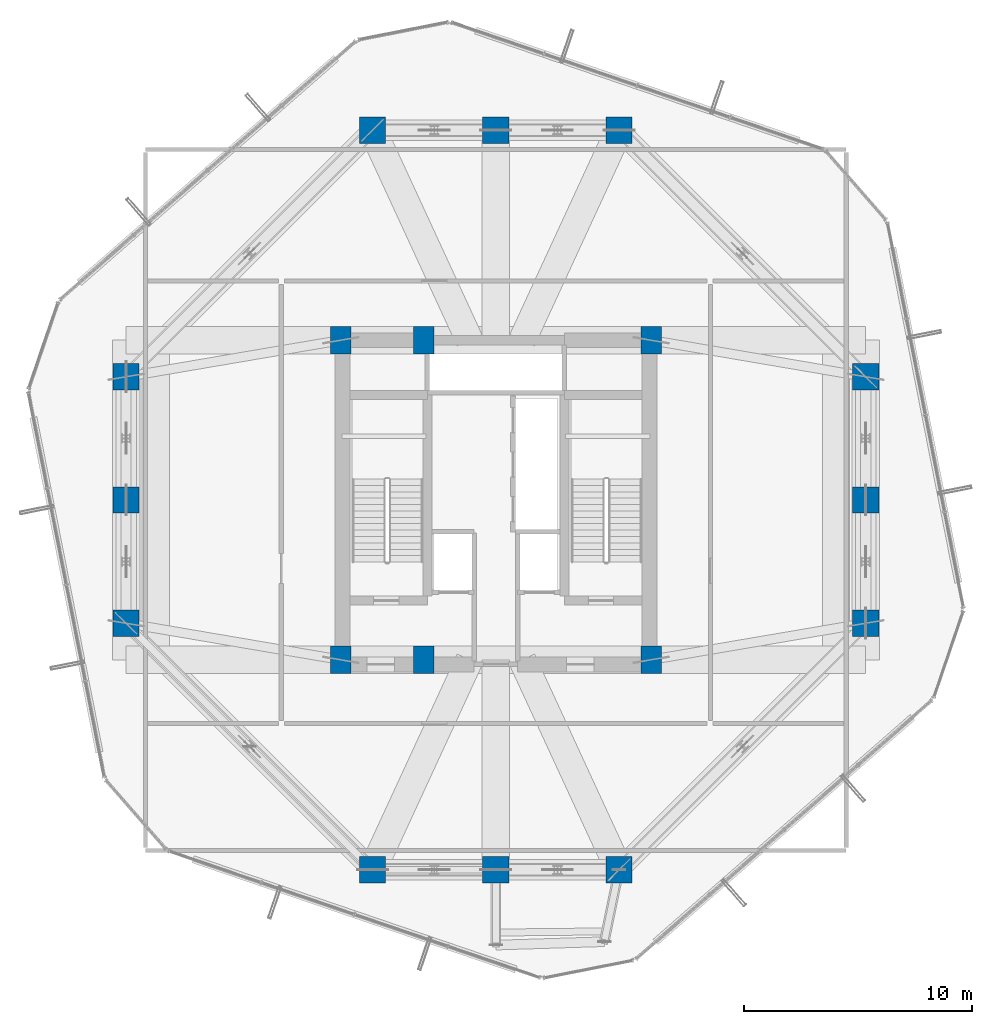
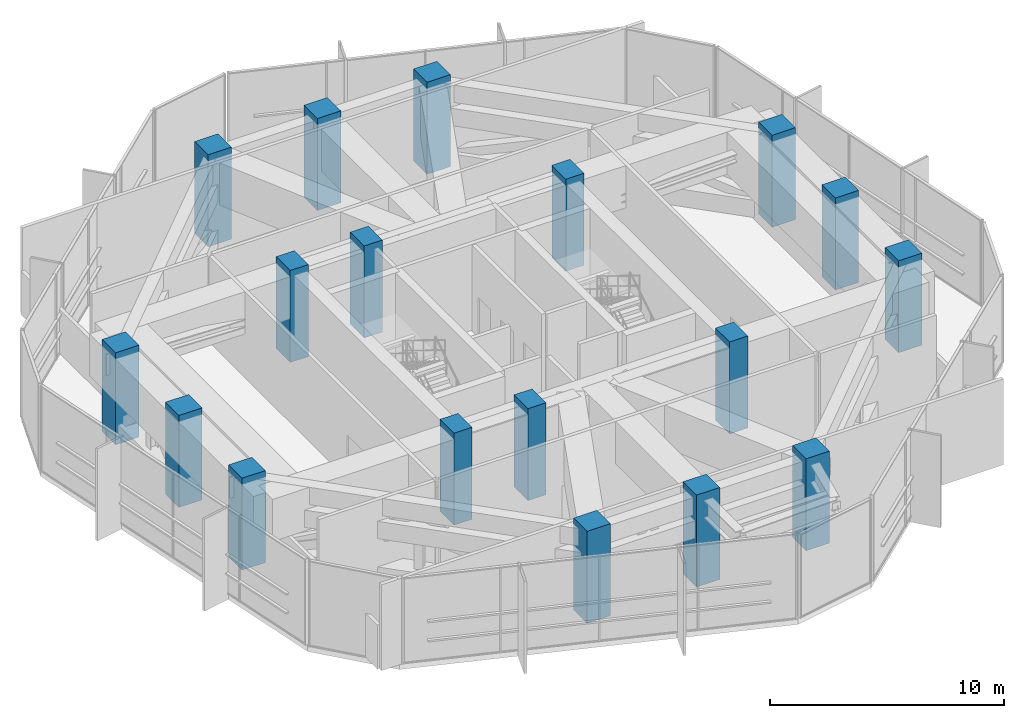
# One storey, part 1 of 36: 18 columns.
"""IFC4 building model written with IfcOpenShell, lengths in metres."""

from ifc_helpers import new_model, si_unit, direction, frame, origin, origin_2d, place, context, subcontext, project, spatial, rectangle, extrude, material, material_profile, profile_set, type_object, element, save


model = new_model("IFC4")

# Units and contexts
model_context = context("Model", 3, precision=1e-05, world=origin(), true_north=direction((0.0, 1.0)))
body_context = subcontext(model_context, "Body", "Model", "MODEL_VIEW")
ifc_project = project(units=[si_unit("LENGTHUNIT", "METRE"), si_unit("AREAUNIT", "SQUARE_METRE"), si_unit("VOLUMEUNIT", "CUBIC_METRE"), si_unit("PLANEANGLEUNIT", "RADIAN"), si_unit("MASSUNIT", "GRAM", prefix="KILO")], contexts=[model_context])

# Site, building, storey
site_placement = place(None, origin())
site = spatial("IfcSite", under=ifc_project, at=site_placement, CompositionType="ELEMENT")
building_placement = place(site_placement, origin())
building = spatial("IfcBuilding", under=site, at=building_placement, Name="Veraguas Prism Commons", CompositionType="ELEMENT")
storey_placement = place(building_placement, frame((0.0, 0.0, 169.550048828125)))
storey = spatial("IfcBuildingStorey", under=building, at=storey_placement, Name="L48", CompositionType="ELEMENT", Elevation=169.550048828125)

# Columns
ifc_material = material(Name="Concrete C60/75", Category="concrete")
ifc_material_profile_1 = material_profile(ifc_material, rectangle(XDim=1.14990234375, YDim=1.14990234375, at=origin_2d()), Name="RC1150X1150")
ifc_profile_set_1 = profile_set([ifc_material_profile_1], Name="Concrete C60/75")
column_type_1 = type_object("IfcColumnType", Name="Column Tube Z2 RC 1150x1150", PredefinedType="COLUMN", material=ifc_profile_set_1)
for number, where, z_axis, x_axis, name in (
    (1, (40.199951171875, 18.60009765625, 0.0), (0.0, 0.0, 1.0), (1.0, 0.0, 0.0), "Tower Perimeter Column L48-TB01"),
    (2, (40.199951171875, 24.0, 0.0), (0.0, 0.0, 1.0), (1.0, 0.0, 0.0), "Tower Perimeter Column L48-TB02"),
    (3, (40.199951171875, 29.39990234375, 0.0), (0.0, 0.0, 1.0), (1.0, 0.0, 0.0), "Tower Perimeter Column L48-TB03"),
    (4, (29.39990234375, 40.199951171875, 0.0), (0.0, 0.0, 1.0), (1.0, 0.0, 0.0), "Tower Perimeter Column L48-TB04"),
    (5, (24.0, 40.199951171875, 0.0), (0.0, 0.0, 1.0), (1.0, 0.0, 0.0), "Tower Perimeter Column L48-TB05"),
    (6, (18.60009765625, 40.199951171875, 0.0), (0.0, 0.0, 1.0), (1.0, 0.0, 0.0), "Tower Perimeter Column L48-TB06"),
    (7, (7.800048828125, 29.39990234375, 0.0), (0.0, 0.0, 1.0), (1.0, 0.0, 0.0), "Tower Perimeter Column L48-TB07"),
    (8, (7.800048828125, 24.0, 0.0), (0.0, 0.0, 1.0), (1.0, 0.0, 0.0), "Tower Perimeter Column L48-TB08"),
    (9, (7.800048828125, 18.60009765625, 0.0), (0.0, 0.0, 1.0), (1.0, 0.0, 0.0), "Tower Perimeter Column L48-TB09"),
    (10, (18.60009765625, 7.800048828125, 0.0), (0.0, 0.0, 1.0), (1.0, 0.0, 0.0), "Tower Perimeter Column L48-TB10"),
    (11, (24.0, 7.800048828125, 0.0), (0.0, 0.0, 1.0), (1.0, 0.0, 0.0), "Tower Perimeter Column L48-TB11"),
    (12, (29.39990234375, 7.800048828125, 0.0), (0.0, 0.0, 1.0), (1.0, 0.0, 0.0), "Tower Perimeter Column L48-TB12"),
):
    element("IfcColumn", number, at=place(storey_placement, frame(where, z_axis=z_axis, x_axis=x_axis)), inside=storey, type_object=column_type_1, Name=name, PredefinedType="COLUMN", context=body_context, shape_type="SweptSolid", body=[
        extrude(rectangle(XDim=1.14990234375, YDim=1.14990234375, at=origin_2d()), origin(), (0.0, 0.0, 1.0), 4.800048828125),
    ])
ifc_material_profile_2 = material_profile(ifc_material, rectangle(XDim=0.89990234375, YDim=1.199951171875, at=origin_2d()), Name="RC900X1200")
ifc_profile_set_2 = profile_set([ifc_material_profile_2], Name="Concrete C60/75")
column_type_2 = type_object("IfcColumnType", Name="Pilaster Core Lower RC 900x1200", PredefinedType="PILASTER", material=ifc_profile_set_2)
for number, where, z_axis, x_axis, name in (
    (13, (17.199951171875, 17.0, 0.0), (0.0, 0.0, 1.0), (1.0, 0.0, 0.0), "Core Pilaster Column L48-CR1"),
    (14, (20.85009765625, 17.0, 0.0), (0.0, 0.0, 1.0), (1.0, 0.0, 0.0), "Core Pilaster Column L48-CR2"),
    (15, (30.800048828125, 17.0, 0.0), (0.0, 0.0, 1.0), (1.0, 0.0, 0.0), "Core Pilaster Column L48-CR3"),
    (16, (17.199951171875, 31.0, 0.0), (0.0, 0.0, 1.0), (1.0, 0.0, 0.0), "Core Pilaster Column L48-CR4"),
    (17, (20.85009765625, 31.0, 0.0), (0.0, 0.0, 1.0), (1.0, 0.0, 0.0), "Core Pilaster Column L48-CR5"),
    (18, (30.800048828125, 31.0, 0.0), (0.0, 0.0, 1.0), (1.0, 0.0, 0.0), "Core Pilaster Column L48-CR6"),
):
    element("IfcColumn", number, at=place(storey_placement, frame(where, z_axis=z_axis, x_axis=x_axis)), inside=storey, type_object=column_type_2, Name=name, PredefinedType="PILASTER", context=body_context, shape_type="SweptSolid", body=[
        extrude(rectangle(XDim=0.89990234375, YDim=1.199951171875, at=origin_2d()), origin(), (0.0, 0.0, 1.0), 4.800048828125),
    ])

save(model, "model.ifc")
